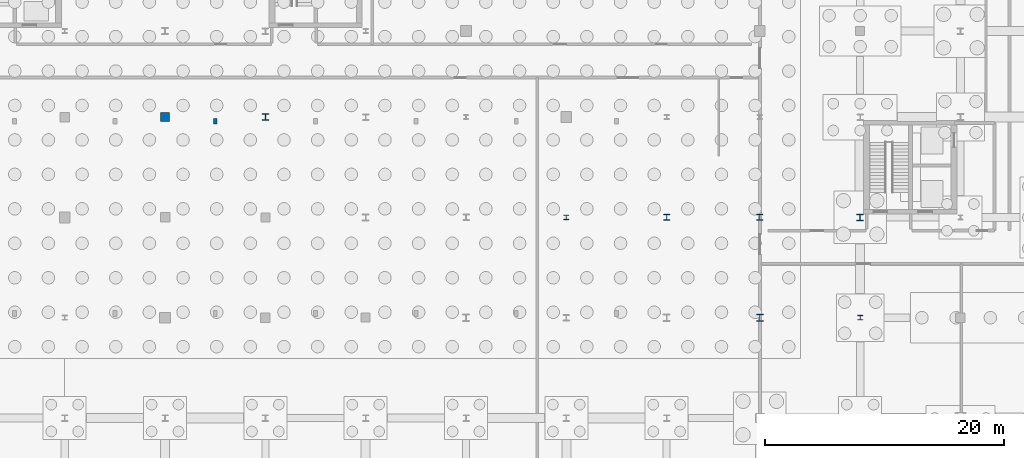
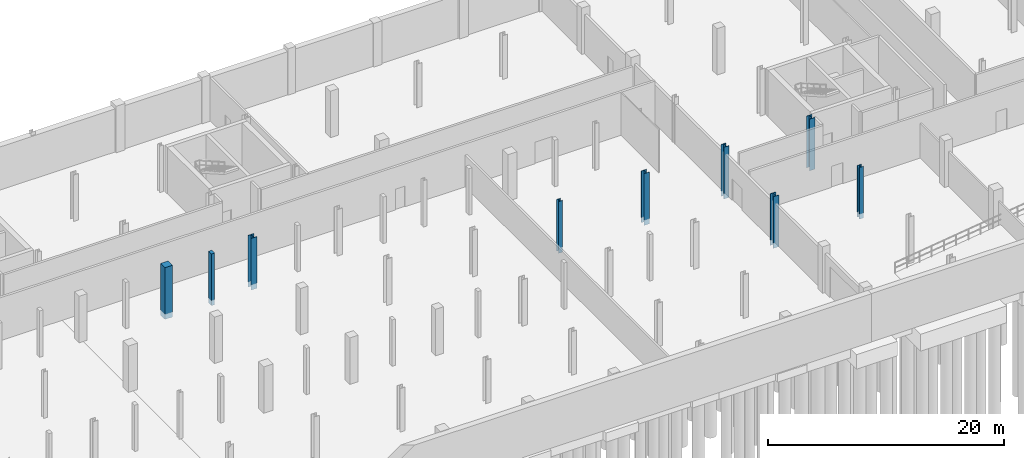
# One storey, part 15 of 32: 9 columns.
"""IFC4 building model written with IfcOpenShell, lengths in metres."""

from ifc_helpers import new_model, si_unit, direction, frame, origin_with_axes, origin_2d_with_axis, place, context, subcontext, project, spatial, rectangle, i_section, extrude, material, material_profile, profile_set, type_object, element, save


model = new_model("IFC4")

# Units and contexts
model_context = context("Model", 3, precision=1e-05, world=origin_with_axes(), true_north=direction((0.0, 1.0)))
body_context = subcontext(model_context, "Body", "Model", "MODEL_VIEW")
ifc_project = project(units=[si_unit("LENGTHUNIT", "METRE"), si_unit("AREAUNIT", "SQUARE_METRE"), si_unit("VOLUMEUNIT", "CUBIC_METRE"), si_unit("PLANEANGLEUNIT", "RADIAN"), si_unit("MASSUNIT", "GRAM", prefix="KILO"), si_unit("THERMODYNAMICTEMPERATUREUNIT", "KELVIN")], contexts=[model_context])

# Site, building, storey
site_placement = place(None, origin_with_axes())
site = spatial("IfcSite", under=ifc_project, at=site_placement, CompositionType="ELEMENT")
building_placement = place(site_placement, origin_with_axes())
building = spatial("IfcBuilding", under=site, at=building_placement, Name="Montbau Bow Law Courts", CompositionType="ELEMENT")
storey_placement = place(building_placement, frame((0.0, 0.0, -4.8), z_axis=(0.0, 0.0, 1.0), x_axis=(1.0, 0.0, 0.0)))
storey = spatial("IfcBuildingStorey", under=building, at=storey_placement, Name="B1", CompositionType="ELEMENT", Elevation=-4.8)

# Columns
ifc_material_1 = material(Name="Concrete CSA A23.1 f'c 40 MPa", Category="concrete")
ifc_material_profile_1 = material_profile(ifc_material_1, rectangle(XDim=0.32, YDim=0.48, at=origin_2d_with_axis()), Name="RC480X320", Category="Main", Priority=0)
ifc_profile_set_1 = profile_set([ifc_material_profile_1], Name="Concrete CSA A23.1 f'c 40 MPa")
column_type_1 = type_object("IfcColumnType", Name="C-PIL-02", PredefinedType="PILASTER", material=ifc_profile_set_1)
column_1_placement = place(None, frame((76.2, 38.65, -5.35), z_axis=(0.0, 0.0, 1.0), x_axis=(1.0, 0.0, 0.0)))
element("IfcColumn", 1, at=column_1_placement, inside=storey, type_object=column_type_1, Name="PL-B1-S12:pil2_0034", PredefinedType="PILASTER", context=body_context, shape_type="SweptSolid", body=[
    extrude(rectangle(XDim=0.32, YDim=0.48, at=origin_2d_with_axis()), origin_with_axes(), (0.0, 0.0, 1.0), 5.35),
])
ifc_material_profile_2 = material_profile(ifc_material_1, rectangle(XDim=0.75, YDim=0.75, at=origin_2d_with_axis()), Name="RC750X750", Category="Main", Priority=0)
ifc_profile_set_2 = profile_set([ifc_material_profile_2], Name="Concrete CSA A23.1 f'c 40 MPa")
column_type_2 = type_object("IfcColumnType", Name="C-RC-03", PredefinedType="COLUMN", material=ifc_profile_set_2)
column_2_placement = place(None, frame((72.0, 39.0, -5.35), z_axis=(0.0, 0.0, 1.0), x_axis=(1.0, 0.0, 0.0)))
element("IfcColumn", 2, at=column_2_placement, inside=storey, type_object=column_type_2, Name="C-B1-S059:col2_0059", PredefinedType="COLUMN", context=body_context, shape_type="SweptSolid", body=[
    extrude(rectangle(XDim=0.75, YDim=0.75, at=origin_2d_with_axis()), origin_with_axes(), (0.0, 0.0, 1.0), 5.35),
])
ifc_material_2 = material(Name="Steel CSA G40.21 Grade 350W (350 MPa)", Category="steel")
ifc_material_profile_3 = material_profile(ifc_material_2, i_section(OverallWidth=0.55, OverallDepth=0.55, WebThickness=0.025, FlangeThickness=0.042, at=origin_2d_with_axis()), Name="WWF550X420", Category="Main", Priority=0)
ifc_profile_set_3 = profile_set([ifc_material_profile_3], Name="Steel CSA G40.21 Grade 350W (350 MPa)")
column_type_3 = type_object("IfcColumnType", Name="C-STL-01", PredefinedType="COLUMN", material=ifc_profile_set_3)
for number, where, z_axis, x_axis, name in (
    (3, (80.4, 39.0, -5.35), (0.0, 0.0, 1.0), (1.0, 0.0, 0.0), "C-B1-S066:col2_0066"),
    (4, (121.8, 22.2, -5.35), (0.0, 0.0, 1.0), (1.0, 0.0, 0.0), "C-B1-S096:col2_0096"),
    (5, (130.2, 30.6, -5.35), (0.0, 0.0, 1.0), (1.0, 0.0, 0.0), "C-B1-S105:col2_0105"),
):
    element("IfcColumn", number, at=place(None, frame(where, z_axis=z_axis, x_axis=x_axis)), inside=storey, type_object=column_type_3, Name=name, PredefinedType="COLUMN", context=body_context, shape_type="SweptSolid", body=[
        extrude(i_section(OverallWidth=0.55, OverallDepth=0.55, WebThickness=0.025, FlangeThickness=0.042, at=origin_2d_with_axis()), origin_with_axes(), (0.0, 0.0, 1.0), 5.35),
    ])
ifc_material_profile_4 = material_profile(ifc_material_2, i_section(OverallWidth=0.5, OverallDepth=0.5, WebThickness=0.022, FlangeThickness=0.036, at=origin_2d_with_axis()), Name="WWF500X343", Category="Main", Priority=0)
ifc_profile_set_4 = profile_set([ifc_material_profile_4], Name="Steel CSA G40.21 Grade 350W (350 MPa)")
column_type_4 = type_object("IfcColumnType", Name="C-STL-02", PredefinedType="COLUMN", material=ifc_profile_set_4)
for number, where, z_axis, x_axis, name in (
    (6, (114.0, 30.6, -5.35), (0.0, 0.0, 1.0), (1.0, 0.0, 0.0), "C-B1-S091:col2_0091"),
    (7, (121.8, 30.6, -5.35), (0.0, 0.0, 1.0), (1.0, 0.0, 0.0), "C-B1-S097:col2_0097"),
):
    element("IfcColumn", number, at=place(None, frame(where, z_axis=z_axis, x_axis=x_axis)), inside=storey, type_object=column_type_4, Name=name, PredefinedType="COLUMN", context=body_context, shape_type="SweptSolid", body=[
        extrude(i_section(OverallWidth=0.5, OverallDepth=0.5, WebThickness=0.022, FlangeThickness=0.036, at=origin_2d_with_axis()), origin_with_axes(), (0.0, 0.0, 1.0), 5.35),
    ])
ifc_material_profile_5 = material_profile(ifc_material_2, i_section(OverallWidth=0.395, OverallDepth=0.38, WebThickness=0.0189, FlangeThickness=0.0302, at=origin_2d_with_axis()), Name="W360X237", Category="Main", Priority=0)
ifc_profile_set_5 = profile_set([ifc_material_profile_5], Name="Steel CSA G40.21 Grade 350W (350 MPa)")
column_type_5 = type_object("IfcColumnType", Name="C-STL-03", PredefinedType="COLUMN", material=ifc_profile_set_5)
for number, where, z_axis, x_axis, name in (
    (8, (105.6, 30.6, -5.35), (0.0, 0.0, 1.0), (1.0, 0.0, 0.0), "C-B1-S086:col2_0086"),
    (9, (130.2, 22.2, -5.35), (0.0, 0.0, 1.0), (1.0, 0.0, 0.0), "C-B1-S104:col2_0104"),
):
    element("IfcColumn", number, at=place(None, frame(where, z_axis=z_axis, x_axis=x_axis)), inside=storey, type_object=column_type_5, Name=name, PredefinedType="COLUMN", context=body_context, shape_type="SweptSolid", body=[
        extrude(i_section(OverallWidth=0.395, OverallDepth=0.38, WebThickness=0.0189, FlangeThickness=0.0302, at=origin_2d_with_axis()), origin_with_axes(), (0.0, 0.0, 1.0), 5.35),
    ])

save(model, "model.ifc")
